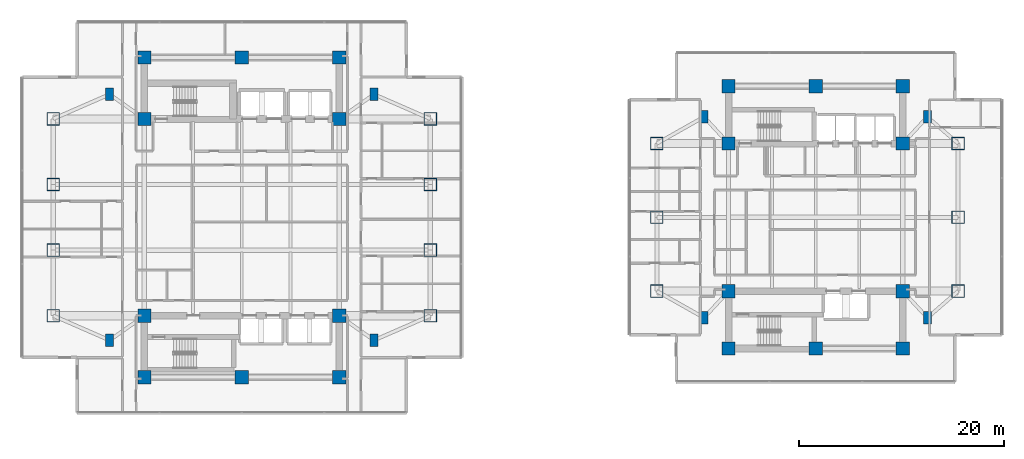
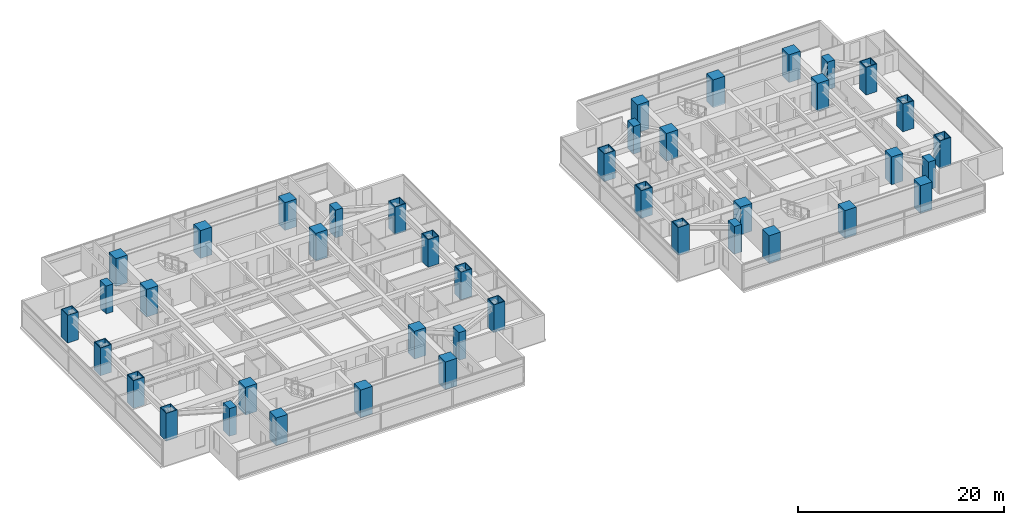
# One storey, part 1 of 24: 42 columns.
"""IFC4 building model written with IfcOpenShell, lengths in metres."""

from ifc_helpers import new_model, si_unit, direction, frame, origin, origin_2d, place, context, subcontext, project, spatial, rectangle, hollow_rectangle, extrude, material, material_profile, profile_set, type_object, element, save


model = new_model("IFC4")

# Units and contexts
model_context = context("Model", 3, precision=1e-05, world=origin(), true_north=direction((0.0, 1.0)))
body_context = subcontext(model_context, "Body", "Model", "MODEL_VIEW")
ifc_project = project(units=[si_unit("LENGTHUNIT", "METRE"), si_unit("AREAUNIT", "SQUARE_METRE"), si_unit("VOLUMEUNIT", "CUBIC_METRE"), si_unit("PLANEANGLEUNIT", "RADIAN"), si_unit("MASSUNIT", "GRAM", prefix="KILO")], contexts=[model_context])

# Site, building, storey
site_placement = place(None, origin())
site = spatial("IfcSite", under=ifc_project, at=site_placement, CompositionType="ELEMENT")
building_placement = place(site_placement, origin())
building = spatial("IfcBuilding", under=site, at=building_placement, Name="Mirazonda Arch Towers", CompositionType="ELEMENT")
storey_placement = place(building_placement, frame((0.0, 0.0, 62.0)))
storey = spatial("IfcBuildingStorey", under=building, at=storey_placement, Name="L17", CompositionType="ELEMENT", Elevation=62.0)

# Columns
ifc_material_1 = material(Name="Concrete C60/75", Category="concrete")
ifc_material_profile_1 = material_profile(ifc_material_1, rectangle(XDim=1.300048828125, YDim=1.300048828125, at=origin_2d()), Name="RC1300x1300")
ifc_profile_set_1 = profile_set([ifc_material_profile_1], Name="Concrete C60/75")
column_type_1 = type_object("IfcColumnType", Name="COL-INT-RC1300x1300", PredefinedType="COLUMN", material=ifc_profile_set_1)
for number, where, z_axis, x_axis, name in (
    (1, (11.0, 12.39990234375, 0.0), (0.0, 0.0, 1.0), (1.0, 0.0, 0.0), "L17 T1 Core Column 01"),
    (2, (20.5, 12.39990234375, 0.0), (0.0, 0.0, 1.0), (1.0, 0.0, 0.0), "L17 T1 Core Column 02"),
    (3, (30.0, 12.39990234375, 0.0), (0.0, 0.0, 1.0), (1.0, 0.0, 0.0), "L17 T1 Core Column 03"),
    (4, (11.0, 18.39990234375, 0.0), (0.0, 0.0, 1.0), (1.0, 0.0, 0.0), "L17 T1 Core Column 04"),
    (5, (30.0, 18.39990234375, 0.0), (0.0, 0.0, 1.0), (1.0, 0.0, 0.0), "L17 T1 Core Column 05"),
    (6, (11.0, 37.60009765625, 0.0), (0.0, 0.0, 1.0), (1.0, 0.0, 0.0), "L17 T1 Core Column 06"),
    (7, (30.0, 37.60009765625, 0.0), (0.0, 0.0, 1.0), (1.0, 0.0, 0.0), "L17 T1 Core Column 07"),
    (8, (11.0, 43.60009765625, 0.0), (0.0, 0.0, 1.0), (1.0, 0.0, 0.0), "L17 T1 Core Column 08"),
    (9, (20.5, 43.60009765625, 0.0), (0.0, 0.0, 1.0), (1.0, 0.0, 0.0), "L17 T1 Core Column 09"),
    (10, (30.0, 43.60009765625, 0.0), (0.0, 0.0, 1.0), (1.0, 0.0, 0.0), "L17 T1 Core Column 10"),
    (11, (68.0, 15.199951171875, 0.0), (0.0, 0.0, 1.0), (1.0, 0.0, 0.0), "L17 T2 Core Column 01"),
    (12, (76.5, 15.199951171875, 0.0), (0.0, 0.0, 1.0), (1.0, 0.0, 0.0), "L17 T2 Core Column 02"),
    (13, (85.0, 15.199951171875, 0.0), (0.0, 0.0, 1.0), (1.0, 0.0, 0.0), "L17 T2 Core Column 03"),
    (14, (68.0, 20.800048828125, 0.0), (0.0, 0.0, 1.0), (1.0, 0.0, 0.0), "L17 T2 Core Column 04"),
    (15, (85.0, 20.800048828125, 0.0), (0.0, 0.0, 1.0), (1.0, 0.0, 0.0), "L17 T2 Core Column 05"),
    (16, (68.0, 35.199951171875, 0.0), (0.0, 0.0, 1.0), (1.0, 0.0, 0.0), "L17 T2 Core Column 06"),
    (17, (85.0, 35.199951171875, 0.0), (0.0, 0.0, 1.0), (1.0, 0.0, 0.0), "L17 T2 Core Column 07"),
    (18, (68.0, 40.800048828125, 0.0), (0.0, 0.0, 1.0), (1.0, 0.0, 0.0), "L17 T2 Core Column 08"),
    (19, (76.5, 40.800048828125, 0.0), (0.0, 0.0, 1.0), (1.0, 0.0, 0.0), "L17 T2 Core Column 09"),
    (20, (85.0, 40.800048828125, 0.0), (0.0, 0.0, 1.0), (1.0, 0.0, 0.0), "L17 T2 Core Column 10"),
):
    element("IfcColumn", number, at=place(storey_placement, frame(where, z_axis=z_axis, x_axis=x_axis)), inside=storey, type_object=column_type_1, Name=name, PredefinedType="COLUMN", context=body_context, shape_type="SweptSolid", body=[
        extrude(rectangle(XDim=1.300048828125, YDim=1.300048828125, at=origin_2d()), origin(), (0.0, 0.0, 1.0), 3.300048828125),
    ])
ifc_material_2 = material(Name="Steel ASTM A572 Grade 50", Category="steel")
ifc_material_profile_2 = material_profile(ifc_material_2, hollow_rectangle(XDim=1.25, YDim=1.25, WallThickness=0.070068359375, at=origin_2d()), Name="BOX1250x1250x70")
ifc_profile_set_2 = profile_set([ifc_material_profile_2], Name="Steel ASTM A572 Grade 50")
column_type_2 = type_object("IfcColumnType", Name="MCOL-EXT-BOX1250x1250x70", PredefinedType="COLUMN", material=ifc_profile_set_2)
for number, where, z_axis, x_axis, name in (
    (21, (2.10009765625, 18.39990234375, 0.0), (0.0, 0.0, 1.0), (1.0, 0.0, 0.0), "L17 T1 Composite Mega-Column 01"),
    (22, (2.10009765625, 24.800048828125, 0.0), (0.0, 0.0, 1.0), (1.0, 0.0, 0.0), "L17 T1 Composite Mega-Column 02"),
    (23, (2.10009765625, 31.199951171875, 0.0), (0.0, 0.0, 1.0), (1.0, 0.0, 0.0), "L17 T1 Composite Mega-Column 03"),
    (24, (2.10009765625, 37.60009765625, 0.0), (0.0, 0.0, 1.0), (1.0, 0.0, 0.0), "L17 T1 Composite Mega-Column 04"),
    (25, (38.89990234375, 18.39990234375, 0.0), (0.0, 0.0, 1.0), (1.0, 0.0, 0.0), "L17 T1 Composite Mega-Column 05"),
    (26, (38.89990234375, 24.800048828125, 0.0), (0.0, 0.0, 1.0), (1.0, 0.0, 0.0), "L17 T1 Composite Mega-Column 06"),
    (27, (38.89990234375, 31.199951171875, 0.0), (0.0, 0.0, 1.0), (1.0, 0.0, 0.0), "L17 T1 Composite Mega-Column 07"),
    (28, (38.89990234375, 37.60009765625, 0.0), (0.0, 0.0, 1.0), (1.0, 0.0, 0.0), "L17 T1 Composite Mega-Column 08"),
    (29, (61.0, 20.800048828125, 0.0), (0.0, 0.0, 1.0), (1.0, 0.0, 0.0), "L17 T2 Composite Mega-Column 01"),
    (30, (61.0, 28.0, 0.0), (0.0, 0.0, 1.0), (1.0, 0.0, 0.0), "L17 T2 Composite Mega-Column 02"),
    (31, (61.0, 35.199951171875, 0.0), (0.0, 0.0, 1.0), (1.0, 0.0, 0.0), "L17 T2 Composite Mega-Column 03"),
    (32, (90.39990234375, 20.800048828125, 0.0), (0.0, 0.0, 1.0), (1.0, 0.0, 0.0), "L17 T2 Composite Mega-Column 04"),
    (33, (90.39990234375, 28.0, 0.0), (0.0, 0.0, 1.0), (1.0, 0.0, 0.0), "L17 T2 Composite Mega-Column 05"),
    (34, (90.39990234375, 35.199951171875, 0.0), (0.0, 0.0, 1.0), (1.0, 0.0, 0.0), "L17 T2 Composite Mega-Column 06"),
):
    element("IfcColumn", number, at=place(storey_placement, frame(where, z_axis=z_axis, x_axis=x_axis)), inside=storey, type_object=column_type_2, Name=name, PredefinedType="COLUMN", context=body_context, shape_type="SweptSolid", body=[
        extrude(hollow_rectangle(XDim=1.25, YDim=1.25, WallThickness=0.070068359375, at=origin_2d()), origin(), (0.0, 0.0, 1.0), 3.300048828125),
    ])
ifc_material_profile_3 = material_profile(ifc_material_1, rectangle(XDim=0.800048828125, YDim=1.199951171875, at=origin_2d()), Name="RC1200x800")
ifc_profile_set_3 = profile_set([ifc_material_profile_3], Name="Concrete C60/75")
column_type_3 = type_object("IfcColumnType", Name="PIL-EXT-RC1200x800", PredefinedType="PILASTER", material=ifc_profile_set_3)
for number, where, z_axis, x_axis, name in (
    (35, (7.60009765625, 16.0, 0.0), (0.0, 0.0, 1.0), (1.0, 0.0, 0.0), "L17 T1 Corner Pilaster 01"),
    (36, (33.39990234375, 16.0, 0.0), (0.0, 0.0, 1.0), (1.0, 0.0, 0.0), "L17 T1 Corner Pilaster 02"),
    (37, (7.60009765625, 40.0, 0.0), (0.0, 0.0, 1.0), (1.0, 0.0, 0.0), "L17 T1 Corner Pilaster 03"),
    (38, (33.39990234375, 40.0, 0.0), (0.0, 0.0, 1.0), (1.0, 0.0, 0.0), "L17 T1 Corner Pilaster 04"),
    (39, (65.60009765625, 18.199951171875, 0.0), (0.0, 0.0, 1.0), (1.0, 0.0, 0.0), "L17 T2 Corner Pilaster 01"),
    (40, (87.39990234375, 18.199951171875, 0.0), (0.0, 0.0, 1.0), (1.0, 0.0, 0.0), "L17 T2 Corner Pilaster 02"),
    (41, (65.60009765625, 37.800048828125, 0.0), (0.0, 0.0, 1.0), (1.0, 0.0, 0.0), "L17 T2 Corner Pilaster 03"),
    (42, (87.39990234375, 37.800048828125, 0.0), (0.0, 0.0, 1.0), (1.0, 0.0, 0.0), "L17 T2 Corner Pilaster 04"),
):
    element("IfcColumn", number, at=place(storey_placement, frame(where, z_axis=z_axis, x_axis=x_axis)), inside=storey, type_object=column_type_3, Name=name, PredefinedType="PILASTER", context=body_context, shape_type="SweptSolid", body=[
        extrude(rectangle(XDim=0.800048828125, YDim=1.199951171875, at=origin_2d()), origin(), (0.0, 0.0, 1.0), 3.300048828125),
    ])

save(model, "model.ifc")
